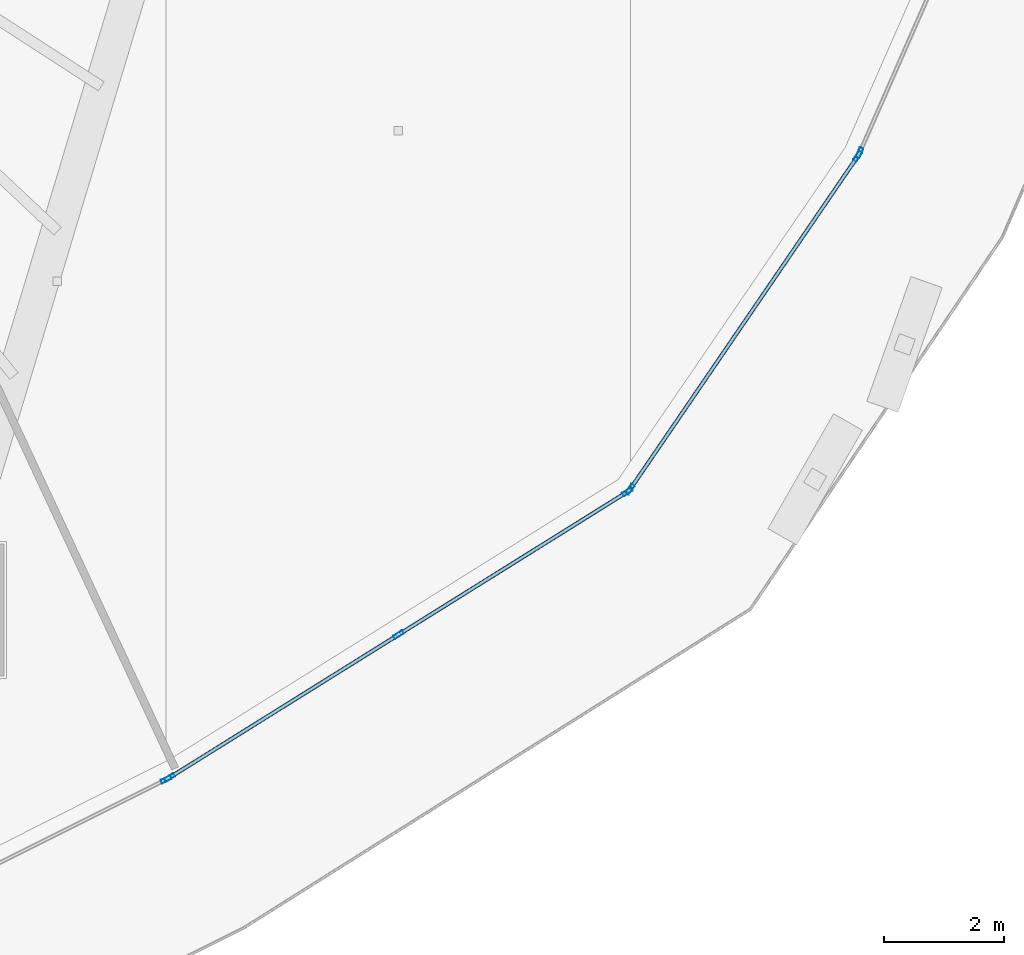
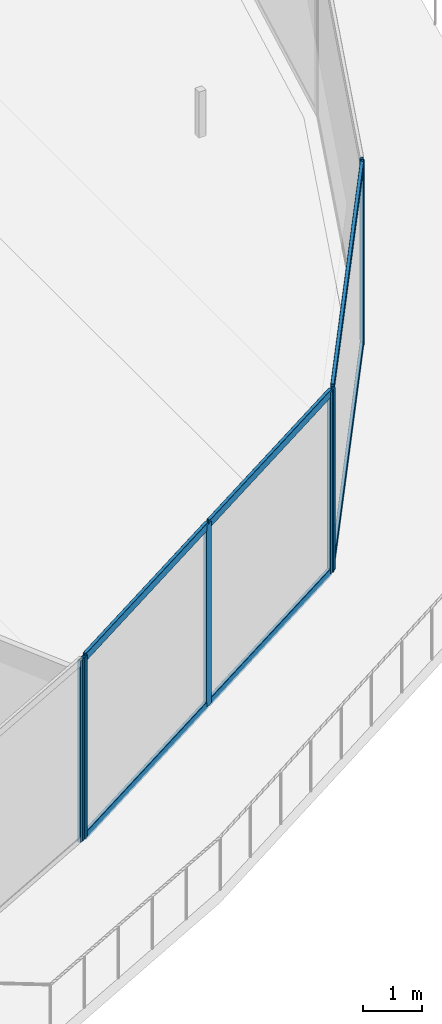
# One storey, part 10 of 38: 13 members, 4 elements without a shape of their own.
"""IFC4 building model written with IfcOpenShell, lengths in metres."""

from ifc_helpers import new_model, si_unit, direction, frame, origin, origin_2d, place, context, subcontext, project, spatial, hollow_rectangle, extrude, material, layer, layer_set, material_profile, profile_set, type_object, element, aggregate, save


model = new_model("IFC4")

# Units and contexts
model_context = context("Model", 3, precision=1e-05, world=origin(), true_north=direction((0.0, 1.0)))
body_context = subcontext(model_context, "Body", "Model", "MODEL_VIEW")
ifc_project = project(units=[si_unit("LENGTHUNIT", "METRE"), si_unit("AREAUNIT", "SQUARE_METRE"), si_unit("VOLUMEUNIT", "CUBIC_METRE"), si_unit("PLANEANGLEUNIT", "RADIAN"), si_unit("MASSUNIT", "GRAM", prefix="KILO")], contexts=[model_context])

# Site, building, storey
site_placement = place(None, origin())
site = spatial("IfcSite", under=ifc_project, at=site_placement, CompositionType="ELEMENT")
building_placement = place(site_placement, origin())
building = spatial("IfcBuilding", under=site, at=building_placement, Name="Qorvath Tower", CompositionType="ELEMENT")
storey_placement = place(building_placement, frame((0.0, 0.0, 134.10009765625)))
storey = spatial("IfcBuildingStorey", under=building, at=storey_placement, Name="L30", CompositionType="ELEMENT", Elevation=134.10009765625)

# Curtain wall, member
ifc_material_1 = material(Name="Anodised aluminium and triple low-E glass", Category="aluminium")
ifc_layer = layer(ifc_material_1, 0.179931640625)
ifc_layer_set = layer_set([ifc_layer], Name="CW-SYS-3")
curtain_wall_type = type_object("IfcCurtainWallType", Name="CW-SYS-3", PredefinedType="NOTDEFINED", material=ifc_layer_set)
curtain_wall_1_placement = place(storey_placement, origin())
curtain_wall_1 = element("IfcCurtainWall", 1, at=curtain_wall_1_placement, inside=storey, type_object=curtain_wall_type, Name="Curtain Wall CW-3 CW-T-L30-3.1", PredefinedType="NOTDEFINED")
ifc_material_2 = material(Name="Anodised aluminium 6063-T6", Category="aluminium")
ifc_material_profile_1 = material_profile(ifc_material_2, hollow_rectangle(XDim=0.06494140625, YDim=0.179931640625, WallThickness=0.00341796875, InnerFilletRadius=0.00341796875, OuterFilletRadius=0.007080078125, at=origin_2d()), Name="CWM 180x65")
ifc_profile_set_1 = profile_set([ifc_material_profile_1], Name="Anodised aluminium 6063-T6")
member_type_1 = type_object("IfcMemberType", Name="CWM-180", PredefinedType="MULLION", material=ifc_profile_set_1)
member_1_placement = place(storey_placement, frame((-11.64453125, -28.064453125, 0.0), z_axis=(0.0, 0.0, 1.0), x_axis=(-0.447213595499, 0.894427191001, 0.0)))
member_1 = element("IfcMember", 2, at=member_1_placement, type_object=member_type_1, Name="CW-3 mullion 2", PredefinedType="MULLION", context=body_context, shape_type="SweptSolid", body=[
    extrude(hollow_rectangle(XDim=0.06494140625, YDim=0.179931640625, WallThickness=0.00341796875, InnerFilletRadius=0.00341796875, OuterFilletRadius=0.007080078125, at=origin_2d()), origin(), (0.0, 0.0, 1.0), 3.77978515625),
])
aggregate(curtain_wall_1, [member_1])

# Curtain wall, members
curtain_wall_2_placement = place(storey_placement, origin())
curtain_wall_2 = element("IfcCurtainWall", 3, at=curtain_wall_2_placement, inside=storey, type_object=curtain_wall_type, Name="Curtain Wall CW-3 CW-T-L30-4.1", PredefinedType="NOTDEFINED")
member_2_placement = place(storey_placement, frame((-11.587890625, -28.03271484375, 0.0), z_axis=(0.0, 0.0, 1.0), x_axis=(-0.529439947431, 0.848347418258, 0.0)))
member_2 = element("IfcMember", 4, at=member_2_placement, type_object=member_type_1, Name="CW-3 mullion 1", PredefinedType="MULLION", context=body_context, shape_type="SweptSolid", body=[
    extrude(hollow_rectangle(XDim=0.06494140625, YDim=0.179931640625, WallThickness=0.00341796875, InnerFilletRadius=0.00341796875, OuterFilletRadius=0.007080078125, at=origin_2d()), origin(), (0.0, 0.0, 1.0), 3.77978515625),
])
member_3_placement = place(storey_placement, frame((-7.781494140625, -25.656982421875, 0.0), z_axis=(0.0, 0.0, 1.0), x_axis=(-0.529439947431, 0.848347418258, 0.0)))
member_3 = element("IfcMember", 5, at=member_3_placement, type_object=member_type_1, Name="CW-3 mullion 2", PredefinedType="MULLION", context=body_context, shape_type="SweptSolid", body=[
    extrude(hollow_rectangle(XDim=0.06494140625, YDim=0.179931640625, WallThickness=0.00341796875, InnerFilletRadius=0.00341796875, OuterFilletRadius=0.007080078125, at=origin_2d()), origin(), (0.0, 0.0, 1.0), 3.77978515625),
])
member_4_placement = place(storey_placement, frame((-3.974853515625, -23.281494140625, 0.0), z_axis=(0.0, 0.0, 1.0), x_axis=(-0.529439947431, 0.848347418258, 0.0)))
member_4 = element("IfcMember", 6, at=member_4_placement, type_object=member_type_1, Name="CW-3 mullion 3", PredefinedType="MULLION", context=body_context, shape_type="SweptSolid", body=[
    extrude(hollow_rectangle(XDim=0.06494140625, YDim=0.179931640625, WallThickness=0.00341796875, InnerFilletRadius=0.00341796875, OuterFilletRadius=0.007080078125, at=origin_2d()), origin(), (0.0, 0.0, 1.0), 3.77978515625),
])

curtain_wall_3_placement = place(storey_placement, origin())
curtain_wall_3 = element("IfcCurtainWall", 7, at=curtain_wall_3_placement, inside=storey, type_object=curtain_wall_type, Name="Curtain Wall CW-3 CW-T-L30-5.1", PredefinedType="NOTDEFINED")
member_5_placement = place(storey_placement, frame((-3.928955078125, -23.2373046875, 0.0), z_axis=(0.0, 0.0, 1.0), x_axis=(-0.825622735214, 0.56422256167, 0.0)))
member_5 = element("IfcMember", 8, at=member_5_placement, type_object=member_type_1, Name="CW-3 mullion 1", PredefinedType="MULLION", context=body_context, shape_type="SweptSolid", body=[
    extrude(hollow_rectangle(XDim=0.06494140625, YDim=0.179931640625, WallThickness=0.00341796875, InnerFilletRadius=0.00341796875, OuterFilletRadius=0.007080078125, at=origin_2d()), origin(), (0.0, 0.0, 1.0), 3.77978515625),
])
member_6_placement = place(storey_placement, frame((-0.146240234375, -17.7021484375, 0.0), z_axis=(0.0, 0.0, 1.0), x_axis=(-0.825622735214, 0.56422256167, 0.0)))
member_6 = element("IfcMember", 9, at=member_6_placement, type_object=member_type_1, Name="CW-3 mullion 2", PredefinedType="MULLION", context=body_context, shape_type="SweptSolid", body=[
    extrude(hollow_rectangle(XDim=0.06494140625, YDim=0.179931640625, WallThickness=0.00341796875, InnerFilletRadius=0.00341796875, OuterFilletRadius=0.007080078125, at=origin_2d()), origin(), (0.0, 0.0, 1.0), 3.77978515625),
])

# Curtain wall, member
curtain_wall_4_placement = place(storey_placement, origin())
curtain_wall_4 = element("IfcCurtainWall", 10, at=curtain_wall_4_placement, inside=storey, type_object=curtain_wall_type, Name="Curtain Wall CW-3 CW-T-L30-6.1", PredefinedType="NOTDEFINED")
member_7_placement = place(storey_placement, frame((-0.11474609375, -17.6455078125, 0.0), z_axis=(0.0, 0.0, 1.0), x_axis=(-0.915735385605, 0.401781910433, 0.0)))
member_7 = element("IfcMember", 11, at=member_7_placement, type_object=member_type_1, Name="CW-3 mullion 1", PredefinedType="MULLION", context=body_context, shape_type="SweptSolid", body=[
    extrude(hollow_rectangle(XDim=0.06494140625, YDim=0.179931640625, WallThickness=0.00341796875, InnerFilletRadius=0.00341796875, OuterFilletRadius=0.007080078125, at=origin_2d()), origin(), (0.0, 0.0, 1.0), 3.77978515625),
])
aggregate(curtain_wall_4, [member_7])

# Member
ifc_material_3 = material(Name="Anodised aluminium 6063-T6", Category="aluminium")
ifc_material_profile_2 = material_profile(ifc_material_3, hollow_rectangle(XDim=0.06494140625, YDim=0.159912109375, WallThickness=0.00341796875, InnerFilletRadius=0.00341796875, OuterFilletRadius=0.007080078125, at=origin_2d()), Name="CWT 160x65")
ifc_profile_set_2 = profile_set([ifc_material_profile_2], Name="Anodised aluminium 6063-T6")
member_type_2 = type_object("IfcMemberType", Name="CWT-160", PredefinedType="USERDEFINED", material=ifc_profile_set_2)
member_8_placement = place(storey_placement, frame((-11.560302734375, -28.015380859375, 0.032470703125), z_axis=(0.848348628419, 0.529438008325, 0.0), x_axis=(-0.529438008325, 0.848348628419, 0.0)))
member_8 = element("IfcMember", 12, at=member_8_placement, type_object=member_type_2, Name="CW-3 transom 1.1", ObjectType="TRANSOM", PredefinedType="USERDEFINED", context=body_context, shape_type="SweptSolid", body=[
    extrude(hollow_rectangle(XDim=0.06494140625, YDim=0.159912109375, WallThickness=0.00341796875, InnerFilletRadius=0.00341796875, OuterFilletRadius=0.007080078125, at=origin_2d()), origin(), (0.0, 0.0, 1.0), 4.421875),
])

member_9_placement = place(storey_placement, frame((-11.560302734375, -28.015380859375, 3.747314453125), z_axis=(0.848348628419, 0.529438008325, 0.0), x_axis=(-0.529438008325, 0.848348628419, 0.0)))
member_9 = element("IfcMember", 13, at=member_9_placement, type_object=member_type_2, Name="CW-3 transom 1.2", ObjectType="TRANSOM", PredefinedType="USERDEFINED", context=body_context, shape_type="SweptSolid", body=[
    extrude(hollow_rectangle(XDim=0.06494140625, YDim=0.159912109375, WallThickness=0.00341796875, InnerFilletRadius=0.00341796875, OuterFilletRadius=0.007080078125, at=origin_2d()), origin(), (0.0, 0.0, 1.0), 4.421875),
])

member_10_placement = place(storey_placement, frame((-7.75390625, -25.639892578125, 0.032470703125), z_axis=(0.848339306636, 0.529452944855, 0.0), x_axis=(-0.529452944855, 0.848339306636, 0.0)))
member_10 = element("IfcMember", 14, at=member_10_placement, type_object=member_type_2, Name="CW-3 transom 2.1", ObjectType="TRANSOM", PredefinedType="USERDEFINED", context=body_context, shape_type="SweptSolid", body=[
    extrude(hollow_rectangle(XDim=0.06494140625, YDim=0.159912109375, WallThickness=0.00341796875, InnerFilletRadius=0.00341796875, OuterFilletRadius=0.007080078125, at=origin_2d()), origin(), (0.0, 0.0, 1.0), 4.422119140625),
])

member_11_placement = place(storey_placement, frame((-7.75390625, -25.639892578125, 3.747314453125), z_axis=(0.848339306636, 0.529452944855, 0.0), x_axis=(-0.529452944855, 0.848339306636, 0.0)))
member_11 = element("IfcMember", 15, at=member_11_placement, type_object=member_type_2, Name="CW-3 transom 2.2", ObjectType="TRANSOM", PredefinedType="USERDEFINED", context=body_context, shape_type="SweptSolid", body=[
    extrude(hollow_rectangle(XDim=0.06494140625, YDim=0.159912109375, WallThickness=0.00341796875, InnerFilletRadius=0.00341796875, OuterFilletRadius=0.007080078125, at=origin_2d()), origin(), (0.0, 0.0, 1.0), 4.422119140625),
])

aggregate(curtain_wall_2, [member_2, member_3, member_4, member_8, member_9, member_10, member_11])

member_12_placement = place(storey_placement, frame((-3.91064453125, -23.21044921875, 0.032470703125), z_axis=(0.564235625395, 0.82561380744, 0.0), x_axis=(-0.82561380744, 0.564235625395, 0.0)))
member_12 = element("IfcMember", 16, at=member_12_placement, type_object=member_type_2, Name="CW-3 transom 1.1", ObjectType="TRANSOM", PredefinedType="USERDEFINED", context=body_context, shape_type="SweptSolid", body=[
    extrude(hollow_rectangle(XDim=0.06494140625, YDim=0.159912109375, WallThickness=0.00341796875, InnerFilletRadius=0.00341796875, OuterFilletRadius=0.007080078125, at=origin_2d()), origin(), (0.0, 0.0, 1.0), 6.63916015625),
])

member_13_placement = place(storey_placement, frame((-3.91064453125, -23.21044921875, 3.747314453125), z_axis=(0.564235625395, 0.82561380744, 0.0), x_axis=(-0.82561380744, 0.564235625395, 0.0)))
member_13 = element("IfcMember", 17, at=member_13_placement, type_object=member_type_2, Name="CW-3 transom 1.2", ObjectType="TRANSOM", PredefinedType="USERDEFINED", context=body_context, shape_type="SweptSolid", body=[
    extrude(hollow_rectangle(XDim=0.06494140625, YDim=0.159912109375, WallThickness=0.00341796875, InnerFilletRadius=0.00341796875, OuterFilletRadius=0.007080078125, at=origin_2d()), origin(), (0.0, 0.0, 1.0), 6.63916015625),
])

aggregate(curtain_wall_3, [member_5, member_6, member_12, member_13])

save(model, "model.ifc")
